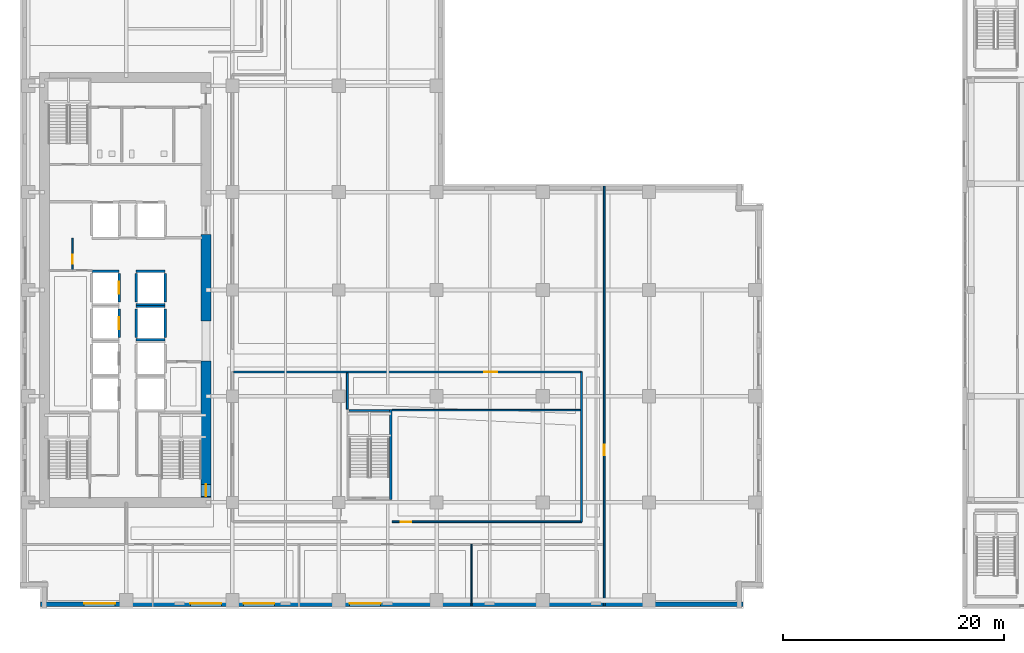
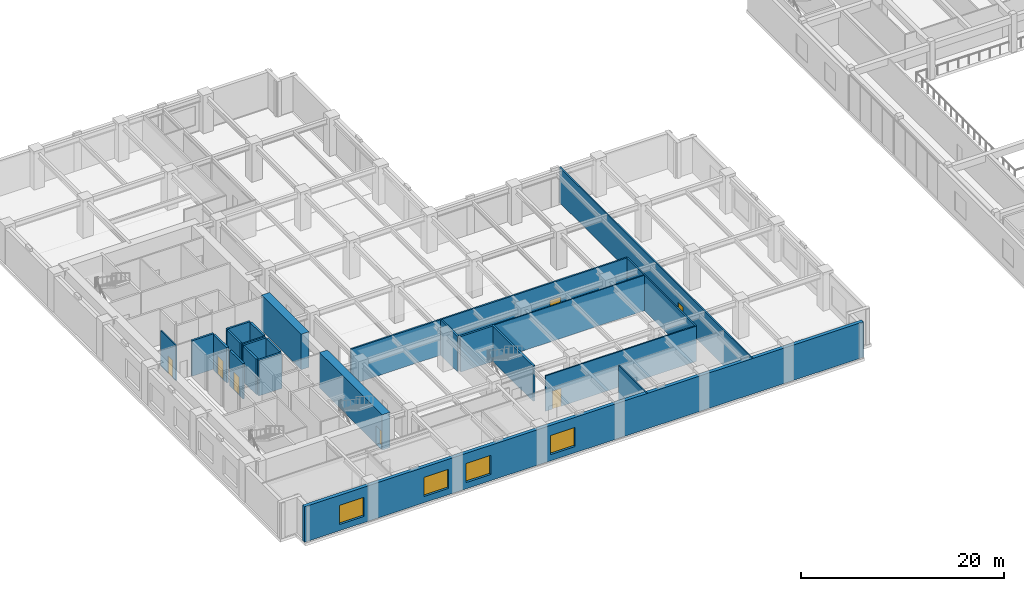
# One storey, part 6 of 24: 24 walls, 7 doors, 4 windows, 11 openings.
"""IFC4 building model written with IfcOpenShell, lengths in metres."""

from ifc_helpers import new_model, si_unit, direction, frame, frame_2d, origin, place, context, subcontext, project, spatial, rectangle, extrude, material, layer, layer_set, type_object, element, fill, save


model = new_model("IFC4")

# Units and contexts
model_context = context("Model", 3, precision=1e-05, world=origin(), true_north=direction((0.0, 1.0)))
body_context = subcontext(model_context, "Body", "Model", "MODEL_VIEW")
ifc_project = project(units=[si_unit("LENGTHUNIT", "METRE"), si_unit("AREAUNIT", "SQUARE_METRE"), si_unit("VOLUMEUNIT", "CUBIC_METRE"), si_unit("PLANEANGLEUNIT", "RADIAN"), si_unit("MASSUNIT", "GRAM", prefix="KILO")], contexts=[model_context])

# Site, building, storey
site_placement = place(None, origin())
site = spatial("IfcSite", under=ifc_project, at=site_placement, CompositionType="ELEMENT")
building_placement = place(site_placement, origin())
building = spatial("IfcBuilding", under=site, at=building_placement, Name="Norrvale University Quadrangle", CompositionType="ELEMENT")
storey_placement = place(building_placement, frame((0.0, 0.0, 10.39990234375)))
storey = spatial("IfcBuildingStorey", under=building, at=storey_placement, Name="L02", CompositionType="ELEMENT", Elevation=10.39990234375)

# Wall, opening, door
ifc_material_1 = material(Name="Concrete C80/95", Category="concrete")
ifc_layer_1 = layer(ifc_material_1, 0.89990234375, Name="Concrete C80/95")
ifc_layer_set_1 = layer_set([ifc_layer_1], Name="Concrete C80/95")
wall_type_1 = type_object("IfcWallType", Name="Wall Core 900", PredefinedType="SHEAR", material=ifc_layer_set_1)
wall_1_placement = place(storey_placement, frame((16.800048828125, 10.050048828125, 0.0), z_axis=(0.0, 0.0, 1.0), x_axis=(0.0, 1.0, 0.0)))
wall_1 = element("IfcWall", 1, at=wall_1_placement, inside=storey, type_object=wall_type_1, Name="Tower Core Shear Wall L02-E1", PredefinedType="SHEAR", context=body_context, shape_type="SweptSolid", body=[
    extrude(rectangle(XDim=12.349853515625, YDim=0.89990234375, at=frame_2d((6.1748046875, 0.0))), origin(), (0.0, 0.0, 1.0), 4.260009765625),
])
opening_1_placement = place(wall_1_placement, frame((0.090087890625, 0.0, 0.0)))
opening_1 = element("IfcOpeningElement", 2, at=opening_1_placement, cuts=wall_1, Name="Opening D02", PredefinedType="OPENING", context=body_context, shape_type="SweptSolid", body=[
    extrude(rectangle(XDim=1.10009765625, YDim=2.199951171875, at=frame_2d((0.550048828125, 1.10009765625))), frame((0.0, 0.4619140625, 0.0), z_axis=(0.0, -1.0, 0.0), x_axis=(1.0, 0.0, 0.0)), (0.0, 0.0, 1.0), 0.923828125),
])
ifc_material_2 = material(Name="Hollow Steel 350W Fire Door", Category="steel")
door_type_1 = type_object("IfcDoorType", Name="Door Stair Exit 1100x2200", OperationType="NOTDEFINED", PredefinedType="DOOR", material=ifc_material_2)
door_1_placement = place(opening_1_placement, origin())
door_1 = element("IfcDoor", 3, at=door_1_placement, inside=storey, type_object=door_type_1, Name="Door Stair Exit 1100x2200 DR-L02-ST03", OperationType="SINGLE_SWING_LEFT", OverallHeight=2.199951171875, OverallWidth=1.10009765625, PredefinedType="DOOR", context=body_context, shape_type="SweptSolid", body=[
    extrude(rectangle(XDim=1.10009765625, YDim=2.199951171875, at=frame_2d((0.550048828125, 1.10009765625))), frame((0.0, 0.02490234375, 0.0), z_axis=(0.0, -1.0, 0.0), x_axis=(1.0, 0.0, 0.0)), (0.0, 0.0, 1.0), 0.050048828125),
])
fill(opening_1, door_1)

# Walls
wall_2_placement = place(storey_placement, frame((16.800048828125, 26.0, 0.0), z_axis=(0.0, 0.0, 1.0), x_axis=(0.0, 1.0, 0.0)))
element("IfcWall", 4, at=wall_2_placement, inside=storey, type_object=wall_type_1, Name="Tower Core Shear Wall L02-E2", PredefinedType="SHEAR", context=body_context, shape_type="SweptSolid", body=[
    extrude(rectangle(XDim=7.800048828125, YDim=0.89990234375, at=frame_2d((3.89990234375, 0.0))), origin(), (0.0, 0.0, 1.0), 4.260009765625),
])
ifc_material_3 = material(Name="Standard Academic Gypsum Partition")
ifc_layer_2 = layer(ifc_material_3, 0.125, Name="Standard Academic Gypsum Partition")
ifc_layer_set_2 = layer_set([ifc_layer_2], Name="Standard Academic Gypsum Partition")
wall_type_2 = type_object("IfcWallType", Name="Wall Gypsum Academic 125", PredefinedType="PARTITIONING", material=ifc_layer_set_2)
wall_3_placement = place(storey_placement, frame((40.800048828125, 0.219970703125, 0.0), z_axis=(0.0, 0.0, 1.0), x_axis=(0.0, 1.0, 0.0)))
element("IfcWall", 5, at=wall_3_placement, inside=storey, type_object=wall_type_2, Name="Interior Partition WL-L02-SP03", PredefinedType="PARTITIONING", context=body_context, shape_type="SweptSolid", body=[
    extrude(rectangle(XDim=5.580078125, YDim=0.125, at=frame_2d((2.7900390625, 0.0))), origin(), (0.0, 0.0, 1.0), 4.260009765625),
])
wall_4_placement = place(storey_placement, frame((33.6201171875, 17.93994140625, 0.0), z_axis=(0.0, 0.0, 1.0), x_axis=(1.0, 0.0, 0.0)))
element("IfcWall", 6, at=wall_4_placement, inside=storey, type_object=wall_type_2, Name="Interior Partition WL-L02-ISLH", PredefinedType="PARTITIONING", context=body_context, shape_type="SweptSolid", body=[
    extrude(rectangle(XDim=17.1298828125, YDim=0.125, at=frame_2d((8.56494140625, 0.0))), origin(), (0.0, 0.0, 1.0), 4.260009765625),
])

# Wall, opening, door
ifc_material_4 = material(Name="Fire-Rated Gypsum Stud Partition")
ifc_layer_3 = layer(ifc_material_4, 0.14990234375, Name="Fire-Rated Gypsum Stud Partition")
ifc_layer_set_3 = layer_set([ifc_layer_3], Name="Fire-Rated Gypsum Stud Partition")
wall_type_3 = type_object("IfcWallType", Name="Wall Gypsum Corridor 150", PredefinedType="PARTITIONING", material=ifc_layer_set_3)
wall_5_placement = place(storey_placement, frame((4.760009765625, 30.550048828125, 0.0), z_axis=(0.0, 0.0, 1.0), x_axis=(0.0, 1.0, 0.0)))
wall_5 = element("IfcWall", 7, at=wall_5_placement, inside=storey, type_object=wall_type_3, Name="Interior Partition WL-L02-WME-E", PredefinedType="PARTITIONING", context=body_context, shape_type="SweptSolid", body=[
    extrude(rectangle(XDim=2.929931640625, YDim=0.14990234375, at=frame_2d((1.46484375, 0.0))), origin(), (0.0, 0.0, 1.0), 4.260009765625),
])
opening_2_placement = place(wall_5_placement, frame((0.60009765625, 0.0, 0.0)))
opening_2 = element("IfcOpeningElement", 8, at=opening_2_placement, cuts=wall_5, Name="Opening D10", PredefinedType="OPENING", context=body_context, shape_type="SweptSolid", body=[
    extrude(rectangle(XDim=0.85009765625, YDim=2.10009765625, at=frame_2d((0.425048828125, 1.050048828125))), frame((0.0, 0.0869140625, 0.0), z_axis=(0.0, -1.0, 0.0), x_axis=(1.0, 0.0, 0.0)), (0.0, 0.0, 1.0), 0.173828125),
])
ifc_material_5 = material(Name="Hollow Steel 350W Riser Fire Door", Category="steel")
door_type_2 = type_object("IfcDoorType", Name="Door Riser 850x2100", OperationType="NOTDEFINED", PredefinedType="DOOR", material=ifc_material_5)
door_2_placement = place(opening_2_placement, origin())
door_2 = element("IfcDoor", 9, at=door_2_placement, inside=storey, type_object=door_type_2, Name="Door Riser 850x2100 DR-L02-WME", OperationType="SINGLE_SWING_LEFT", OverallHeight=2.10009765625, OverallWidth=0.85009765625, PredefinedType="DOOR", context=body_context, shape_type="SweptSolid", body=[
    extrude(rectangle(XDim=0.85009765625, YDim=2.10009765625, at=frame_2d((0.425048828125, 1.050048828125))), frame((0.0, 0.02490234375, 0.0), z_axis=(0.0, -1.0, 0.0), x_axis=(1.0, 0.0, 0.0)), (0.0, 0.0, 1.0), 0.050048828125),
])
fill(opening_2, door_2)

wall_6_placement = place(storey_placement, frame((52.800048828125, 0.219970703125, 0.0), z_axis=(0.0, 0.0, 1.0), x_axis=(0.0, 1.0, 0.0)))
wall_6 = element("IfcWall", 10, at=wall_6_placement, inside=storey, type_object=wall_type_3, Name="Interior Partition WL-L02-ECW", PredefinedType="PARTITIONING", context=body_context, shape_type="SweptSolid", body=[
    extrude(rectangle(XDim=37.9599609375, YDim=0.14990234375, at=frame_2d((18.97998046875, 0.0))), origin(), (0.0, 0.0, 1.0), 4.260009765625),
])
opening_3_placement = place(wall_6_placement, frame((13.6298828125, 0.0, 0.0)))
opening_3 = element("IfcOpeningElement", 11, at=opening_3_placement, cuts=wall_6, Name="Opening D07", PredefinedType="OPENING", context=body_context, shape_type="SweptSolid", body=[
    extrude(rectangle(XDim=0.949951171875, YDim=2.14990234375, at=frame_2d((0.47509765625, 1.074951171875))), frame((0.0, 0.0869140625, 0.0), z_axis=(0.0, -1.0, 0.0), x_axis=(1.0, 0.0, 0.0)), (0.0, 0.0, 1.0), 0.173828125),
])
ifc_material_6 = material(Name="Solid-Core Maple Door", Category="wood")
door_type_3 = type_object("IfcDoorType", Name="Door Office 950x2150", OperationType="NOTDEFINED", PredefinedType="DOOR", material=ifc_material_6)
door_3_placement = place(opening_3_placement, origin())
door_3 = element("IfcDoor", 12, at=door_3_placement, inside=storey, type_object=door_type_3, Name="Door Office 950x2150 DR-L02-E01", OperationType="SINGLE_SWING_RIGHT", OverallHeight=2.14990234375, OverallWidth=0.949951171875, PredefinedType="DOOR", context=body_context, shape_type="SweptSolid", body=[
    extrude(rectangle(XDim=0.949951171875, YDim=2.14990234375, at=frame_2d((0.47509765625, 1.074951171875))), frame((0.0, 0.02490234375, 0.0), z_axis=(0.0, -1.0, 0.0), x_axis=(1.0, 0.0, 0.0)), (0.0, 0.0, 1.0), 0.050048828125),
])
fill(opening_3, door_3)

wall_7_placement = place(storey_placement, frame((33.6201171875, 7.85009765625, 0.0), z_axis=(0.0, 0.0, 1.0), x_axis=(1.0, 0.0, 0.0)))
wall_7 = element("IfcWall", 13, at=wall_7_placement, inside=storey, type_object=wall_type_3, Name="Interior Partition WL-L02-ISLS2", PredefinedType="PARTITIONING", context=body_context, shape_type="SweptSolid", body=[
    extrude(rectangle(XDim=17.1298828125, YDim=0.14990234375, at=frame_2d((8.56494140625, 0.0))), origin(), (0.0, 0.0, 1.0), 4.260009765625),
])
opening_4_placement = place(wall_7_placement, frame((0.800048828125, 0.0, 0.0)))
opening_4 = element("IfcOpeningElement", 14, at=opening_4_placement, cuts=wall_7, Name="Opening D07", PredefinedType="OPENING", context=body_context, shape_type="SweptSolid", body=[
    extrude(rectangle(XDim=0.949951171875, YDim=2.14990234375, at=frame_2d((0.47509765625, 1.074951171875))), frame((0.0, 0.0869140625, 0.0), z_axis=(0.0, -1.0, 0.0), x_axis=(1.0, 0.0, 0.0)), (0.0, 0.0, 1.0), 0.173828125),
])
door_4_placement = place(opening_4_placement, origin())
door_4 = element("IfcDoor", 15, at=door_4_placement, inside=storey, type_object=door_type_3, Name="Door Office 950x2150 DR-L02-ISE", OperationType="SINGLE_SWING_LEFT", OverallHeight=2.14990234375, OverallWidth=0.949951171875, PredefinedType="DOOR", context=body_context, shape_type="SweptSolid", body=[
    extrude(rectangle(XDim=0.949951171875, YDim=2.14990234375, at=frame_2d((0.47509765625, 1.074951171875))), frame((0.0, 0.02490234375, 0.0), z_axis=(0.0, -1.0, 0.0), x_axis=(1.0, 0.0, 0.0)), (0.0, 0.0, 1.0), 0.050048828125),
])
fill(opening_4, door_4)

# Walls
wall_8_placement = place(storey_placement, frame((50.75, 7.85009765625, 0.0), z_axis=(0.0, 0.0, 1.0), x_axis=(0.0, 1.0, 0.0)))
element("IfcWall", 16, at=wall_8_placement, inside=storey, type_object=wall_type_3, Name="Interior Partition WL-L02-ISLE", PredefinedType="PARTITIONING", context=body_context, shape_type="SweptSolid", body=[
    extrude(rectangle(XDim=13.5498046875, YDim=0.14990234375, at=frame_2d((6.77490234375, 0.0))), origin(), (0.0, 0.0, 1.0), 4.260009765625),
])
ifc_material_7 = material(Name="Acoustic Double-Stud Gypsum Partition")
ifc_layer_4 = layer(ifc_material_7, 0.179931640625, Name="Acoustic Double-Stud Gypsum Partition")
ifc_layer_set_4 = layer_set([ifc_layer_4], Name="Acoustic Double-Stud Gypsum Partition")
wall_type_4 = type_object("IfcWallType", Name="Wall Gypsum Lecture 180", PredefinedType="PARTITIONING", material=ifc_layer_set_4)
wall_9_placement = place(storey_placement, frame((29.580078125, 18.02490234375, 0.0), z_axis=(0.0, 0.0, 1.0), x_axis=(0.0, 1.0, 0.0)))
element("IfcWall", 17, at=wall_9_placement, inside=storey, type_object=wall_type_4, Name="Interior Partition WL-L02-ISLD", PredefinedType="PARTITIONING", context=body_context, shape_type="SweptSolid", body=[
    extrude(rectangle(XDim=3.280029296875, YDim=0.179931640625, at=frame_2d((1.64013671875, 0.0))), origin(), (0.0, 0.0, 1.0), 4.260009765625),
])

# Wall, opening, door
wall_10_placement = place(storey_placement, frame((19.280029296875, 21.39990234375, 0.0), z_axis=(0.0, 0.0, 1.0), x_axis=(1.0, 0.0, 0.0)))
wall_10 = element("IfcWall", 18, at=wall_10_placement, inside=storey, type_object=wall_type_4, Name="Interior Partition WL-L02-ISLN", PredefinedType="PARTITIONING", context=body_context, shape_type="SweptSolid", body=[
    extrude(rectangle(XDim=31.469970703125, YDim=0.179931640625, at=frame_2d((15.73486328125, 0.0))), origin(), (0.0, 0.0, 1.0), 4.260009765625),
])
opening_5_placement = place(wall_10_placement, frame((22.669921875, 0.0, 0.0)))
opening_5 = element("IfcOpeningElement", 19, at=opening_5_placement, cuts=wall_10, Name="Opening D05", PredefinedType="OPENING", context=body_context, shape_type="SweptSolid", body=[
    extrude(rectangle(XDim=1.199951171875, YDim=2.199951171875, at=frame_2d((0.60009765625, 1.10009765625))), frame((0.0, 0.10205078125, 0.0), z_axis=(0.0, -1.0, 0.0), x_axis=(1.0, 0.0, 0.0)), (0.0, 0.0, 1.0), 0.203857421875),
])
ifc_material_8 = material(Name="Acoustic Oak Classroom Door", Category="wood")
door_type_4 = type_object("IfcDoorType", Name="Door Classroom 1200x2200", OperationType="NOTDEFINED", PredefinedType="DOOR", material=ifc_material_8)
door_5_placement = place(opening_5_placement, origin())
door_5 = element("IfcDoor", 20, at=door_5_placement, inside=storey, type_object=door_type_4, Name="Door Classroom 1200x2200 DR-L02-ILH", OperationType="SINGLE_SWING_RIGHT", OverallHeight=2.199951171875, OverallWidth=1.199951171875, PredefinedType="DOOR", context=body_context, shape_type="SweptSolid", body=[
    extrude(rectangle(XDim=1.199951171875, YDim=2.199951171875, at=frame_2d((0.60009765625, 1.10009765625))), frame((0.0, 0.02490234375, 0.0), z_axis=(0.0, -1.0, 0.0), x_axis=(1.0, 0.0, 0.0)), (0.0, 0.0, 1.0), 0.050048828125),
])
fill(opening_5, door_5)

# Wall, openings, windows
ifc_material_9 = material(Name="Red Manganese Brick Masonry", Category="masonry")
ifc_layer_5 = layer(ifc_material_9, 0.39990234375, Name="Red Manganese Brick Masonry")
ifc_layer_set_5 = layer_set([ifc_layer_5], Name="Red Manganese Brick Masonry")
wall_type_5 = type_object("IfcWallType", Name="Wall Red Brick 400", PredefinedType="SOLIDWALL", material=ifc_layer_set_5)
wall_11_placement = place(storey_placement, frame((1.840087890625, 0.3798828125, 0.0), z_axis=(0.0, 0.0, 1.0), x_axis=(1.0, 0.0, 0.0)))
wall_11 = element("IfcWall", 21, at=wall_11_placement, inside=storey, type_object=wall_type_5, Name="Exterior Brick Facade Wall L02-01.1", PredefinedType="SOLIDWALL", context=body_context, shape_type="SweptSolid", body=[
    extrude(rectangle(XDim=63.52001953125, YDim=0.39990234375, at=frame_2d((31.760009765625, 0.0))), origin(), (0.0, 0.0, 1.0), 4.260009765625),
])
opening_6_placement = place(wall_11_placement, frame((3.9599609375, 0.0, 0.75)))
opening_6 = element("IfcOpeningElement", 22, at=opening_6_placement, cuts=wall_11, Name="Opening W05", PredefinedType="OPENING", context=body_context, shape_type="SweptSolid", body=[
    extrude(rectangle(XDim=2.800048828125, YDim=2.300048828125, at=frame_2d((1.39990234375, 1.14990234375))), frame((0.0, 0.2119140625, 0.0), z_axis=(0.0, -1.0, 0.0), x_axis=(1.0, 0.0, 0.0)), (0.0, 0.0, 1.0), 0.423828125),
])
opening_7_placement = place(wall_11_placement, frame((13.56005859375, 0.0, 0.75)))
opening_7 = element("IfcOpeningElement", 23, at=opening_7_placement, cuts=wall_11, Name="Opening W05", PredefinedType="OPENING", context=body_context, shape_type="SweptSolid", body=[
    extrude(rectangle(XDim=2.800048828125, YDim=2.300048828125, at=frame_2d((1.39990234375, 1.14990234375))), frame((0.0, 0.2119140625, 0.0), z_axis=(0.0, -1.0, 0.0), x_axis=(1.0, 0.0, 0.0)), (0.0, 0.0, 1.0), 0.423828125),
])
opening_8_placement = place(wall_11_placement, frame((18.360107421875, 0.0, 0.75)))
opening_8 = element("IfcOpeningElement", 24, at=opening_8_placement, cuts=wall_11, Name="Opening W05", PredefinedType="OPENING", context=body_context, shape_type="SweptSolid", body=[
    extrude(rectangle(XDim=2.800048828125, YDim=2.300048828125, at=frame_2d((1.39990234375, 1.14990234375))), frame((0.0, 0.2119140625, 0.0), z_axis=(0.0, -1.0, 0.0), x_axis=(1.0, 0.0, 0.0)), (0.0, 0.0, 1.0), 0.423828125),
])
opening_9_placement = place(wall_11_placement, frame((27.9599609375, 0.0, 0.75)))
opening_9 = element("IfcOpeningElement", 25, at=opening_9_placement, cuts=wall_11, Name="Opening W05", PredefinedType="OPENING", context=body_context, shape_type="SweptSolid", body=[
    extrude(rectangle(XDim=2.800048828125, YDim=2.300048828125, at=frame_2d((1.39990234375, 1.14990234375))), frame((0.0, 0.2119140625, 0.0), z_axis=(0.0, -1.0, 0.0), x_axis=(1.0, 0.0, 0.0)), (0.0, 0.0, 1.0), 0.423828125),
])
ifc_material_10 = material(Name="Bird-Friendly Fritted Triple Glazing", Category="glass")
window_type = type_object("IfcWindowType", Name="Window Podium 2800x2800", PartitioningType="TRIPLE_PANEL_VERTICAL", PredefinedType="WINDOW", material=ifc_material_10)
window_1_placement = place(opening_6_placement, origin())
window_1 = element("IfcWindow", 26, at=window_1_placement, inside=storey, type_object=window_type, Name="Window Podium 2800x2800 WIN-L02-E01-1-01", OverallHeight=2.300048828125, OverallWidth=2.800048828125, PartitioningType="TRIPLE_PANEL_VERTICAL", PredefinedType="WINDOW", context=body_context, shape_type="SweptSolid", body=[
    extrude(rectangle(XDim=2.800048828125, YDim=2.300048828125, at=frame_2d((1.39990234375, 1.14990234375))), frame((0.0, 0.110107421875, 0.0), z_axis=(0.0, -1.0, 0.0), x_axis=(1.0, 0.0, 0.0)), (0.0, 0.0, 1.0), 0.06005859375),
])
fill(opening_6, window_1)
window_2_placement = place(opening_7_placement, origin())
window_2 = element("IfcWindow", 27, at=window_2_placement, inside=storey, type_object=window_type, Name="Window Podium 2800x2800 WIN-L02-E01-1-02", OverallHeight=2.300048828125, OverallWidth=2.800048828125, PartitioningType="TRIPLE_PANEL_VERTICAL", PredefinedType="WINDOW", context=body_context, shape_type="SweptSolid", body=[
    extrude(rectangle(XDim=2.800048828125, YDim=2.300048828125, at=frame_2d((1.39990234375, 1.14990234375))), frame((0.0, 0.110107421875, 0.0), z_axis=(0.0, -1.0, 0.0), x_axis=(1.0, 0.0, 0.0)), (0.0, 0.0, 1.0), 0.06005859375),
])
fill(opening_7, window_2)
window_3_placement = place(opening_8_placement, origin())
window_3 = element("IfcWindow", 28, at=window_3_placement, inside=storey, type_object=window_type, Name="Window Podium 2800x2800 WIN-L02-E01-1-03", OverallHeight=2.300048828125, OverallWidth=2.800048828125, PartitioningType="TRIPLE_PANEL_VERTICAL", PredefinedType="WINDOW", context=body_context, shape_type="SweptSolid", body=[
    extrude(rectangle(XDim=2.800048828125, YDim=2.300048828125, at=frame_2d((1.39990234375, 1.14990234375))), frame((0.0, 0.110107421875, 0.0), z_axis=(0.0, -1.0, 0.0), x_axis=(1.0, 0.0, 0.0)), (0.0, 0.0, 1.0), 0.06005859375),
])
fill(opening_8, window_3)
window_4_placement = place(opening_9_placement, origin())
window_4 = element("IfcWindow", 29, at=window_4_placement, inside=storey, type_object=window_type, Name="Window Podium 2800x2800 WIN-L02-E01-1-04", OverallHeight=2.300048828125, OverallWidth=2.800048828125, PartitioningType="TRIPLE_PANEL_VERTICAL", PredefinedType="WINDOW", context=body_context, shape_type="SweptSolid", body=[
    extrude(rectangle(XDim=2.800048828125, YDim=2.300048828125, at=frame_2d((1.39990234375, 1.14990234375))), frame((0.0, 0.110107421875, 0.0), z_axis=(0.0, -1.0, 0.0), x_axis=(1.0, 0.0, 0.0)), (0.0, 0.0, 1.0), 0.06005859375),
])
fill(opening_9, window_4)

# Walls
ifc_material_11 = material(Name="Concrete Blockwork 20 MPa Fire Shaft", Category="masonry")
ifc_layer_6 = layer(ifc_material_11, 0.219970703125, Name="Concrete Blockwork 20 MPa Fire Shaft")
ifc_layer_set_6 = layer_set([ifc_layer_6], Name="Concrete Blockwork 20 MPa Fire Shaft")
wall_type_6 = type_object("IfcWallType", Name="Wall Shaft 220", PredefinedType="SOLIDWALL", material=ifc_layer_set_6)
wall_12_placement = place(storey_placement, frame((33.510009765625, 9.8798828125, 0.0), z_axis=(0.0, 0.0, 1.0), x_axis=(0.0, 1.0, 0.0)))
element("IfcWall", 30, at=wall_12_placement, inside=storey, type_object=wall_type_6, Name="Stair ST-04 East Shaft Wall L02", PredefinedType="SOLIDWALL", context=body_context, shape_type="SweptSolid", body=[
    extrude(rectangle(XDim=8.14013671875, YDim=0.219970703125, at=frame_2d((4.070068359375, 0.0))), origin(), (0.0, 0.0, 1.0), 4.260009765625),
])
wall_13_placement = place(storey_placement, frame((29.75, 17.909912109375, 0.0), z_axis=(0.0, 0.0, 1.0), x_axis=(1.0, 0.0, 0.0)))
element("IfcWall", 31, at=wall_13_placement, inside=storey, type_object=wall_type_6, Name="Stair ST-04 North Shaft Wall L02", PredefinedType="SOLIDWALL", context=body_context, shape_type="SweptSolid", body=[
    extrude(rectangle(XDim=3.64990234375, YDim=0.219970703125, at=frame_2d((1.824951171875, 0.0))), origin(), (0.0, 0.0, 1.0), 4.260009765625),
])

# Wall, opening, door
wall_14_placement = place(storey_placement, frame((8.9599609375, 24.510009765625, 0.0), z_axis=(0.0, 0.0, 1.0), x_axis=(0.0, 1.0, 0.0)))
wall_14 = element("IfcWall", 32, at=wall_14_placement, inside=storey, type_object=wall_type_6, Name="Hoistway PL-03 East Wall L02", PredefinedType="SOLIDWALL", context=body_context, shape_type="SweptSolid", body=[
    extrude(rectangle(XDim=2.580078125, YDim=0.219970703125, at=frame_2d((1.2900390625, 0.0))), origin(), (0.0, 0.0, 1.0), 4.260009765625),
])
opening_10_placement = place(wall_14_placement, frame((0.739990234375, 0.0, 0.0)))
opening_10 = element("IfcOpeningElement", 33, at=opening_10_placement, cuts=wall_14, Name="Opening LD1", PredefinedType="OPENING", context=body_context, shape_type="SweptSolid", body=[
    extrude(rectangle(XDim=1.10009765625, YDim=2.199951171875, at=frame_2d((0.550048828125, 1.10009765625))), frame((0.0, 0.1220703125, 0.0), z_axis=(0.0, -1.0, 0.0), x_axis=(1.0, 0.0, 0.0)), (0.0, 0.0, 1.0), 0.243896484375),
])
ifc_material_12 = material(Name="Stainless Steel 316L Lift Landing Door", Category="steel")
door_type_5 = type_object("IfcDoorType", Name="Door Lift Landing 1100x2200", OperationType="DOUBLE_DOOR_SLIDING", PredefinedType="DOOR", material=ifc_material_12)
door_6_placement = place(opening_10_placement, origin())
door_6 = element("IfcDoor", 34, at=door_6_placement, inside=storey, type_object=door_type_5, Name="Elevator Landing Door DR-L02-PL-03", OperationType="DOUBLE_DOOR_SLIDING", OverallHeight=2.199951171875, OverallWidth=1.10009765625, PredefinedType="DOOR", context=body_context, shape_type="SweptSolid", body=[
    extrude(rectangle(XDim=1.10009765625, YDim=2.199951171875, at=frame_2d((0.550048828125, 1.10009765625))), frame((0.0, 0.02490234375, 0.0), z_axis=(0.0, -1.0, 0.0), x_axis=(1.0, 0.0, 0.0)), (0.0, 0.0, 1.0), 0.050048828125),
])
fill(opening_10, door_6)

wall_15_placement = place(storey_placement, frame((8.9599609375, 27.7099609375, 0.0), z_axis=(0.0, 0.0, 1.0), x_axis=(0.0, 1.0, 0.0)))
wall_15 = element("IfcWall", 35, at=wall_15_placement, inside=storey, type_object=wall_type_6, Name="Hoistway PL-04 East Wall L02", PredefinedType="SOLIDWALL", context=body_context, shape_type="SweptSolid", body=[
    extrude(rectangle(XDim=2.580078125, YDim=0.219970703125, at=frame_2d((1.2900390625, 0.0))), origin(), (0.0, 0.0, 1.0), 4.260009765625),
])
opening_11_placement = place(wall_15_placement, frame((0.739990234375, 0.0, 0.0)))
opening_11 = element("IfcOpeningElement", 36, at=opening_11_placement, cuts=wall_15, Name="Opening LD1", PredefinedType="OPENING", context=body_context, shape_type="SweptSolid", body=[
    extrude(rectangle(XDim=1.10009765625, YDim=2.199951171875, at=frame_2d((0.550048828125, 1.10009765625))), frame((0.0, 0.1220703125, 0.0), z_axis=(0.0, -1.0, 0.0), x_axis=(1.0, 0.0, 0.0)), (0.0, 0.0, 1.0), 0.243896484375),
])
door_7_placement = place(opening_11_placement, origin())
door_7 = element("IfcDoor", 37, at=door_7_placement, inside=storey, type_object=door_type_5, Name="Elevator Landing Door DR-L02-PL-04", OperationType="DOUBLE_DOOR_SLIDING", OverallHeight=2.199951171875, OverallWidth=1.10009765625, PredefinedType="DOOR", context=body_context, shape_type="SweptSolid", body=[
    extrude(rectangle(XDim=1.10009765625, YDim=2.199951171875, at=frame_2d((0.550048828125, 1.10009765625))), frame((0.0, 0.02490234375, 0.0), z_axis=(0.0, -1.0, 0.0), x_axis=(1.0, 0.0, 0.0)), (0.0, 0.0, 1.0), 0.050048828125),
])
fill(opening_11, door_7)

# Walls
wall_16_placement = place(storey_placement, frame((6.489990234375, 30.510009765625, 0.0), z_axis=(0.0, 0.0, 1.0), x_axis=(1.0, 0.0, 0.0)))
element("IfcWall", 38, at=wall_16_placement, inside=storey, type_object=wall_type_6, Name="Hoistway PL-04 North Wall L02", PredefinedType="SOLIDWALL", context=body_context, shape_type="SweptSolid", body=[
    extrude(rectangle(XDim=2.469970703125, YDim=0.219970703125, at=frame_2d((1.23486328125, 0.0))), origin(), (0.0, 0.0, 1.0), 4.260009765625),
])
for number, where, z_axis, x_axis, name in (
    (39, (10.489990234375, 24.510009765625, 0.0), (0.0, 0.0, 1.0), (0.0, 1.0, 0.0), "Hoistway PL-07 West Wall L02"),
    (40, (13.110107421875, 24.510009765625, 0.0), (0.0, 0.0, 1.0), (0.0, 1.0, 0.0), "Hoistway PL-07 East Wall L02"),
):
    element("IfcWall", number, at=place(storey_placement, frame(where, z_axis=z_axis, x_axis=x_axis)), inside=storey, type_object=wall_type_6, Name=name, PredefinedType="SOLIDWALL", context=body_context, shape_type="SweptSolid", body=[
        extrude(rectangle(XDim=2.580078125, YDim=0.219970703125, at=frame_2d((1.2900390625, 0.0))), origin(), (0.0, 0.0, 1.0), 4.260009765625),
    ])
for number, where, z_axis, x_axis, name in (
    (41, (10.489990234375, 24.2900390625, 0.0), (0.0, 0.0, 1.0), (1.0, 0.0, 0.0), "Hoistway PL-07 South Wall L02"),
    (42, (10.489990234375, 27.31005859375, 0.0), (0.0, 0.0, 1.0), (1.0, 0.0, 0.0), "Hoistway PL-07 North Wall L02"),
):
    element("IfcWall", number, at=place(storey_placement, frame(where, z_axis=z_axis, x_axis=x_axis)), inside=storey, type_object=wall_type_6, Name=name, PredefinedType="SOLIDWALL", context=body_context, shape_type="SweptSolid", body=[
        extrude(rectangle(XDim=2.6201171875, YDim=0.219970703125, at=frame_2d((1.31005859375, 0.0))), origin(), (0.0, 0.0, 1.0), 4.260009765625),
    ])
for number, where, z_axis, x_axis, name in (
    (43, (10.489990234375, 27.7099609375, 0.0), (0.0, 0.0, 1.0), (0.0, 1.0, 0.0), "Hoistway PL-08 West Wall L02"),
    (44, (13.110107421875, 27.7099609375, 0.0), (0.0, 0.0, 1.0), (0.0, 1.0, 0.0), "Hoistway PL-08 East Wall L02"),
):
    element("IfcWall", number, at=place(storey_placement, frame(where, z_axis=z_axis, x_axis=x_axis)), inside=storey, type_object=wall_type_6, Name=name, PredefinedType="SOLIDWALL", context=body_context, shape_type="SweptSolid", body=[
        extrude(rectangle(XDim=2.580078125, YDim=0.219970703125, at=frame_2d((1.2900390625, 0.0))), origin(), (0.0, 0.0, 1.0), 4.260009765625),
    ])
for number, where, z_axis, x_axis, name in (
    (45, (10.489990234375, 27.489990234375, 0.0), (0.0, 0.0, 1.0), (1.0, 0.0, 0.0), "Hoistway PL-08 South Wall L02"),
    (46, (10.489990234375, 30.510009765625, 0.0), (0.0, 0.0, 1.0), (1.0, 0.0, 0.0), "Hoistway PL-08 North Wall L02"),
):
    element("IfcWall", number, at=place(storey_placement, frame(where, z_axis=z_axis, x_axis=x_axis)), inside=storey, type_object=wall_type_6, Name=name, PredefinedType="SOLIDWALL", context=body_context, shape_type="SweptSolid", body=[
        extrude(rectangle(XDim=2.6201171875, YDim=0.219970703125, at=frame_2d((1.31005859375, 0.0))), origin(), (0.0, 0.0, 1.0), 4.260009765625),
    ])

save(model, "model.ifc")
